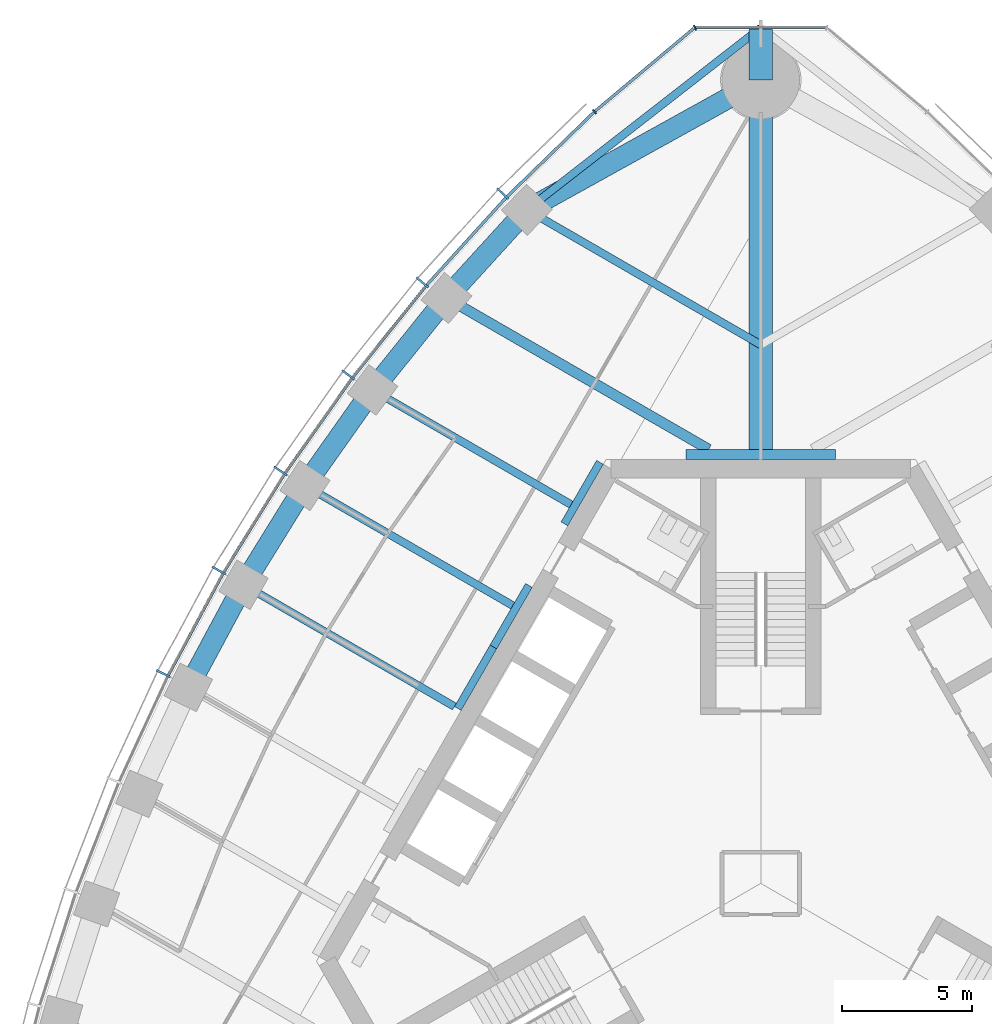
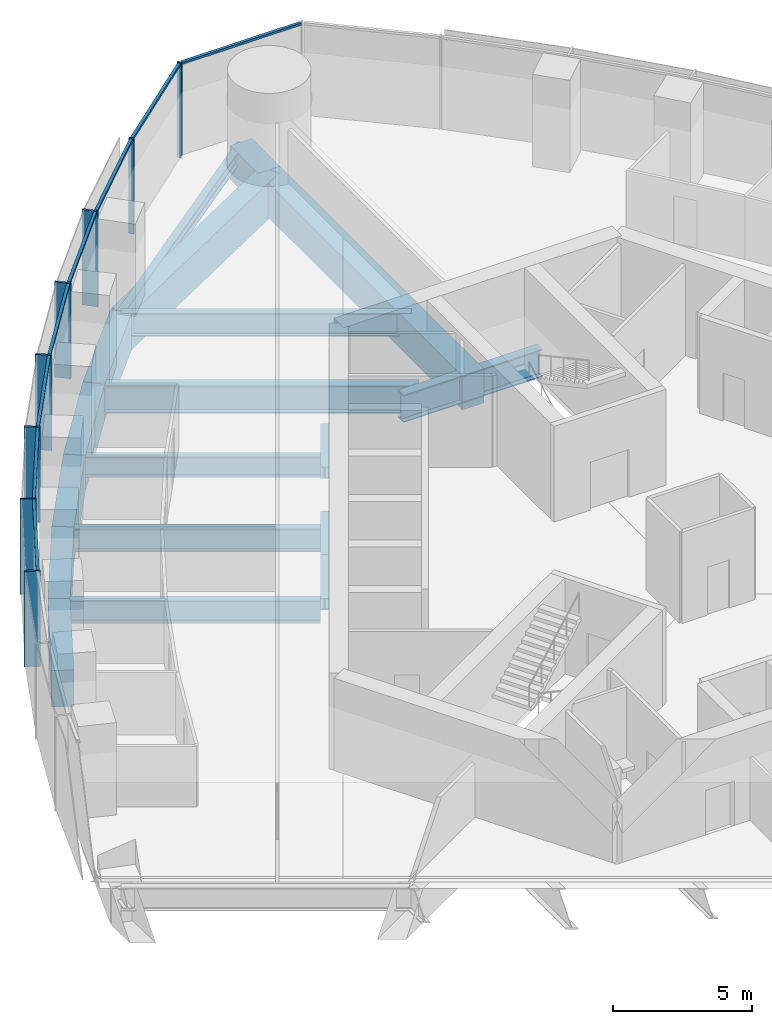
# One storey, part 5 of 16: 19 beams, 16 members, 2 elements without a shape of their own.
"""IFC4 building model written with IfcOpenShell, lengths in metres."""

from ifc_helpers import new_model, si_unit, direction, frame, origin, origin_2d, place, context, subcontext, project, spatial, rectangle, i_section, extrude, material, material_profile, profile_set, type_object, element, aggregate, save


model = new_model("IFC4")

# Units and contexts
model_context = context("Model", 3, precision=1e-05, world=origin(), true_north=direction((0.0, 1.0)))
body_context = subcontext(model_context, "Body", "Model", "MODEL_VIEW")
ifc_project = project(units=[si_unit("LENGTHUNIT", "METRE"), si_unit("AREAUNIT", "SQUARE_METRE"), si_unit("VOLUMEUNIT", "CUBIC_METRE"), si_unit("PLANEANGLEUNIT", "RADIAN"), si_unit("MASSUNIT", "GRAM", prefix="KILO")], contexts=[model_context])

# Site, building, storey
site_placement = place(None, origin())
site = spatial("IfcSite", under=ifc_project, at=site_placement, CompositionType="ELEMENT")
building_placement = place(site_placement, origin())
building = spatial("IfcBuilding", under=site, at=building_placement, Name="Trefoil Bronze Tower", CompositionType="ELEMENT")
storey_placement = place(building_placement, frame((0.0, 0.0, 284.699951171875)))
storey = spatial("IfcBuildingStorey", under=building, at=storey_placement, Name="L65", CompositionType="ELEMENT", Elevation=284.699951171875)

# Curtain wall, members
ifc_material_1 = material(Name="Tinted solar-control glass", Category="glass")
curtain_wall_type_1 = type_object("IfcCurtainWallType", Name="Bronze office curtain wall", PredefinedType="USERDEFINED", material=ifc_material_1)
curtain_wall_1_placement = place(storey_placement, origin())
curtain_wall_1 = element("IfcCurtainWall", 1, at=curtain_wall_1_placement, inside=storey, type_object=curtain_wall_type_1, Name="CW-A L65 F3", ObjectType="CURTAIN WALL", PredefinedType="USERDEFINED")
ifc_material_2 = material(Name="Bronze-finish aluminium", Category="aluminium")
ifc_material_profile_1 = material_profile(ifc_material_2, rectangle(XDim=0.60009765625, YDim=0.080078125, at=origin_2d()), Name="CW-A mullion")
ifc_profile_set_1 = profile_set([ifc_material_profile_1], Name="Bronze-finish aluminium")
member_type_1 = type_object("IfcMemberType", Name="Bronze office curtain wall mullion", PredefinedType="MULLION", material=ifc_profile_set_1)
member_1_placement = place(storey_placement, frame((-9.957275390625, 26.617431640625, 0.0), z_axis=(0.0, 0.0, 1.0), x_axis=(0.719001349715, -0.695008675564, 0.0)))
member_1 = element("IfcMember", 2, at=member_1_placement, type_object=member_type_1, Name="CW-A L65 F3 mullion 2", PredefinedType="MULLION", context=body_context, shape_type="SweptSolid", body=[
    extrude(rectangle(XDim=0.60009765625, YDim=0.080078125, at=origin_2d()), origin(), (0.0, 0.0, 1.0), 4.179931640625),
])
member_2_placement = place(storey_placement, frame((-13.064453125, 23.194091796875, 0.0), z_axis=(0.0, 0.0, 1.0), x_axis=(0.760781190165, -0.649008459646, 0.0)))
member_2 = element("IfcMember", 3, at=member_2_placement, type_object=member_type_1, Name="CW-A L65 F3 mullion 3", PredefinedType="MULLION", context=body_context, shape_type="SweptSolid", body=[
    extrude(rectangle(XDim=0.60009765625, YDim=0.080078125, at=origin_2d()), origin(), (0.0, 0.0, 1.0), 4.179931640625),
])
member_3_placement = place(storey_placement, frame((-15.922607421875, 19.627197265625, 0.0), z_axis=(0.0, 0.0, 1.0), x_axis=(0.799096076136, -0.601203344222, 0.0)))
member_3 = element("IfcMember", 4, at=member_3_placement, type_object=member_type_1, Name="CW-A L65 F3 mullion 4", PredefinedType="MULLION", context=body_context, shape_type="SweptSolid", body=[
    extrude(rectangle(XDim=0.60009765625, YDim=0.080078125, at=origin_2d()), origin(), (0.0, 0.0, 1.0), 4.179931640625),
])
member_4_placement = place(storey_placement, frame((-18.538330078125, 15.920166015625, 0.0), z_axis=(0.0, 0.0, 1.0), x_axis=(0.834159158089, -0.551523797289, 0.0)))
member_4 = element("IfcMember", 5, at=member_4_placement, type_object=member_type_1, Name="CW-A L65 F3 mullion 5", PredefinedType="MULLION", context=body_context, shape_type="SweptSolid", body=[
    extrude(rectangle(XDim=0.60009765625, YDim=0.080078125, at=origin_2d()), origin(), (0.0, 0.0, 1.0), 4.179931640625),
])
member_5_placement = place(storey_placement, frame((-20.916015625, 12.07568359375, 0.0), z_axis=(0.0, 0.0, 1.0), x_axis=(0.866025403784, -0.5, 0.0)))
member_5 = element("IfcMember", 6, at=member_5_placement, type_object=member_type_1, Name="CW-A L65 F3 mullion 6", PredefinedType="MULLION", context=body_context, shape_type="SweptSolid", body=[
    extrude(rectangle(XDim=0.60009765625, YDim=0.080078125, at=origin_2d()), origin(), (0.0, 0.0, 1.0), 4.179931640625),
])
member_6_placement = place(storey_placement, frame((-23.056396484375, 8.094482421875, 0.0), z_axis=(0.0, 0.0, 1.0), x_axis=(0.894713198289, -0.44664112306, 0.0)))
member_6 = element("IfcMember", 7, at=member_6_placement, type_object=member_type_1, Name="CW-A L65 F3 mullion 7", PredefinedType="MULLION", context=body_context, shape_type="SweptSolid", body=[
    extrude(rectangle(XDim=0.60009765625, YDim=0.080078125, at=origin_2d()), origin(), (0.0, 0.0, 1.0), 4.179931640625),
])
ifc_material_3 = material(Name="Bronze-finish aluminium", Category="aluminium")
ifc_material_profile_2 = material_profile(ifc_material_3, rectangle(XDim=0.1201171875, YDim=0.10009765625, at=origin_2d()), Name="CW-A transom")
ifc_profile_set_2 = profile_set([ifc_material_profile_2], Name="Bronze-finish aluminium")
member_type_2 = type_object("IfcMemberType", Name="Bronze office curtain wall transom", PredefinedType="USERDEFINED", material=ifc_profile_set_2)
member_7_placement = place(storey_placement, frame((-6.44921875, 29.7470703125, 4.130126953125), z_axis=(-0.717224617883, -0.696842053484, 0.0), x_axis=(0.696842053484, -0.717224617883, 0.0)))
member_7 = element("IfcMember", 8, at=member_7_placement, type_object=member_type_2, Name="CW-A L65 F3 transom 1", ObjectType="TRANSOM", PredefinedType="USERDEFINED", context=body_context, shape_type="SweptSolid", body=[
    extrude(rectangle(XDim=0.1201171875, YDim=0.10009765625, at=origin_2d()), origin(), (0.0, 0.0, 1.0), 4.6474609375),
])
member_8_placement = place(storey_placement, frame((-9.842529296875, 26.446533203125, 4.130126953125), z_axis=(-0.672068269674, -0.740489190264, 0.0), x_axis=(0.740489190264, -0.672068269674, 0.0)))
member_8 = element("IfcMember", 9, at=member_8_placement, type_object=member_type_2, Name="CW-A L65 F3 transom 2", ObjectType="TRANSOM", PredefinedType="USERDEFINED", context=body_context, shape_type="SweptSolid", body=[
    extrude(rectangle(XDim=0.1201171875, YDim=0.10009765625, at=origin_2d()), origin(), (0.0, 0.0, 1.0), 4.5244140625),
])
member_9_placement = place(storey_placement, frame((-12.939208984375, 23.03076171875, 4.130126953125), z_axis=(-0.625300648488, -0.780383943325, 0.0), x_axis=(0.780383943325, -0.625300648488, 0.0)))
member_9 = element("IfcMember", 10, at=member_9_placement, type_object=member_type_2, Name="CW-A L65 F3 transom 3", ObjectType="TRANSOM", PredefinedType="USERDEFINED", context=body_context, shape_type="SweptSolid", body=[
    extrude(rectangle(XDim=0.1201171875, YDim=0.10009765625, at=origin_2d()), origin(), (0.0, 0.0, 1.0), 4.472412109375),
])
member_10_placement = place(storey_placement, frame((-15.78759765625, 19.4716796875, 4.130126953125), z_axis=(-0.5765665752, -0.817050172488, 0.0), x_axis=(0.817050172488, -0.5765665752, 0.0)))
member_10 = element("IfcMember", 11, at=member_10_placement, type_object=member_type_2, Name="CW-A L65 F3 transom 4", ObjectType="TRANSOM", PredefinedType="USERDEFINED", context=body_context, shape_type="SweptSolid", body=[
    extrude(rectangle(XDim=0.1201171875, YDim=0.10009765625, at=origin_2d()), origin(), (0.0, 0.0, 1.0), 4.4384765625),
])
member_11_placement = place(storey_placement, frame((-18.394287109375, 15.7734375, 4.130126953125), z_axis=(-0.525978235299, -0.850498028212, 0.0), x_axis=(0.850498028212, -0.525978235299, 0.0)))
member_11 = element("IfcMember", 12, at=member_11_placement, type_object=member_type_2, Name="CW-A L65 F3 transom 5", ObjectType="TRANSOM", PredefinedType="USERDEFINED", context=body_context, shape_type="SweptSolid", body=[
    extrude(rectangle(XDim=0.1201171875, YDim=0.10009765625, at=origin_2d()), origin(), (0.0, 0.0, 1.0), 4.422119140625),
])
member_12_placement = place(storey_placement, frame((-20.76318359375, 11.93798828125, 4.130126953125), z_axis=(-0.473540024981, -0.880772300167, 0.0), x_axis=(0.880772300167, -0.473540024981, 0.0)))
member_12 = element("IfcMember", 13, at=member_12_placement, type_object=member_type_2, Name="CW-A L65 F3 transom 6", ObjectType="TRANSOM", PredefinedType="USERDEFINED", context=body_context, shape_type="SweptSolid", body=[
    extrude(rectangle(XDim=0.1201171875, YDim=0.10009765625, at=origin_2d()), origin(), (0.0, 0.0, 1.0), 4.422119140625),
])
aggregate(curtain_wall_1, [member_1, member_2, member_3, member_4, member_5, member_6, member_7, member_8, member_9, member_10, member_11, member_12])

ifc_material_4 = material(Name="Tinted solar-control glass", Category="glass")
curtain_wall_type_2 = type_object("IfcCurtainWallType", Name="Bronze rounded corner curtain wall", PredefinedType="USERDEFINED", material=ifc_material_4)
curtain_wall_2_placement = place(storey_placement, origin())
curtain_wall_2 = element("IfcCurtainWall", 14, at=curtain_wall_2_placement, inside=storey, type_object=curtain_wall_type_2, Name="CW-B L65 K2", ObjectType="CURTAIN WALL", PredefinedType="USERDEFINED")
ifc_material_5 = material(Name="Bronze-finish aluminium", Category="aluminium")
ifc_material_profile_3 = material_profile(ifc_material_5, rectangle(XDim=0.199951171875, YDim=0.06005859375, at=origin_2d()), Name="CW-B mullion")
ifc_profile_set_3 = profile_set([ifc_material_profile_3], Name="Bronze-finish aluminium")
member_type_3 = type_object("IfcMemberType", Name="Bronze rounded corner curtain wall mullion", PredefinedType="MULLION", material=ifc_profile_set_3)
member_13_placement = place(storey_placement, frame((-2.542236328125, 33.021484375, 0.0), z_axis=(0.0, 0.0, 1.0), x_axis=(0.342020143326, -0.939692620786, 0.0)))
member_13 = element("IfcMember", 15, at=member_13_placement, type_object=member_type_3, Name="CW-B L65 K2 mullion 3", PredefinedType="MULLION", context=body_context, shape_type="SweptSolid", body=[
    extrude(rectangle(XDim=0.199951171875, YDim=0.06005859375, at=origin_2d()), origin(), (0.0, 0.0, 1.0), 4.179931640625),
])
member_14_placement = place(storey_placement, frame((-6.4150390625, 29.77978515625, 0.0), z_axis=(0.0, 0.0, 1.0), x_axis=(0.642787609687, -0.766044443119, 0.0)))
member_14 = element("IfcMember", 16, at=member_14_placement, type_object=member_type_3, Name="CW-B L65 K2 mullion 4", PredefinedType="MULLION", context=body_context, shape_type="SweptSolid", body=[
    extrude(rectangle(XDim=0.199951171875, YDim=0.06005859375, at=origin_2d()), origin(), (0.0, 0.0, 1.0), 4.179931640625),
])
ifc_material_6 = material(Name="Bronze-finish aluminium", Category="aluminium")
ifc_material_profile_4 = material_profile(ifc_material_6, rectangle(XDim=0.1201171875, YDim=0.10009765625, at=origin_2d()), Name="CW-B transom")
ifc_profile_set_4 = profile_set([ifc_material_profile_4], Name="Bronze-finish aluminium")
member_type_4 = type_object("IfcMemberType", Name="Bronze rounded corner curtain wall transom", PredefinedType="USERDEFINED", material=ifc_profile_set_4)
member_15_placement = place(storey_placement, frame((2.47802734375, 33.027587890625, 4.130126953125), z_axis=(-1.0, 0.0, 0.0), x_axis=(0.0, -1.0, 0.0)))
member_15 = element("IfcMember", 17, at=member_15_placement, type_object=member_type_4, Name="CW-B L65 K2 transom 2", ObjectType="TRANSOM", PredefinedType="USERDEFINED", context=body_context, shape_type="SweptSolid", body=[
    extrude(rectangle(XDim=0.1201171875, YDim=0.10009765625, at=origin_2d()), origin(), (0.0, 0.0, 1.0), 4.9560546875),
])
member_16_placement = place(storey_placement, frame((-2.595458984375, 32.98486328125, 4.130126953125), z_axis=(-0.766040522511, -0.642792282056, 0.0), x_axis=(0.642792282056, -0.766040522511, 0.0)))
member_16 = element("IfcMember", 18, at=member_16_placement, type_object=member_type_4, Name="CW-B L65 K2 transom 3", ObjectType="TRANSOM", PredefinedType="USERDEFINED", context=body_context, shape_type="SweptSolid", body=[
    extrude(rectangle(XDim=0.1201171875, YDim=0.10009765625, at=origin_2d()), origin(), (0.0, 0.0, 1.0), 4.9560546875),
])
aggregate(curtain_wall_2, [member_13, member_14, member_15, member_16])

# Beams
ifc_material_7 = material(Name="Steel C355", Category="steel")
ifc_material_profile_5 = material_profile(ifc_material_7, i_section(OverallWidth=0.300048828125, OverallDepth=0.5, WebThickness=0.014404296875, FlangeThickness=0.028076171875, FilletRadius=0.027099609375, at=origin_2d()), Name="HEB 500")
ifc_profile_set_5 = profile_set([ifc_material_profile_5], Name="Steel C355")
beam_type_1 = type_object("IfcBeamType", Name="Core seat beam HEB 500", PredefinedType="BEAM", material=ifc_profile_set_5)
for number, where, z_axis, x_axis, name in (
    (19, (-6.20654296875, 16.25, -0.449951171875), (-0.499969057507, -0.866043267704, 0.0), (0.866043267704, -0.499969057507, 0.0), "Core seat beam F3/-2 L65"),
    (20, (-8.948974609375, 11.5, -0.449951171875), (-0.499969057507, -0.866043267704, 0.0), (0.866043267704, -0.499969057507, 0.0), "Core seat beam F3/-1 L65"),
    (21, (-10.320068359375, 9.125, -0.449951171875), (-0.500035825175, -0.866004719122, 0.0), (0.866004719122, -0.500035825175, 0.0), "Core seat beam F3/+0 L65"),
):
    element("IfcBeam", number, at=place(storey_placement, frame(where, z_axis=z_axis, x_axis=x_axis)), inside=storey, type_object=beam_type_1, Name=name, PredefinedType="BEAM", context=body_context, shape_type="SweptSolid", body=[
        extrude(i_section(OverallWidth=0.300048828125, OverallDepth=0.5, WebThickness=0.014404296875, FlangeThickness=0.028076171875, FilletRadius=0.027099609375, at=origin_2d()), origin(), (0.0, 0.0, 1.0), 2.742431640625),
    ])
ifc_material_8 = material(Name="Steel C355", Category="steel")
ifc_material_profile_6 = material_profile(ifc_material_8, i_section(OverallWidth=0.39990234375, OverallDepth=1.199951171875, WebThickness=0.02001953125, FlangeThickness=0.0400390625, FilletRadius=0.010009765625, at=origin_2d()), Name="WPG 1200")
ifc_profile_set_6 = profile_set([ifc_material_profile_6], Name="Steel C355")
beam_type_2 = type_object("IfcBeamType", Name="Core seat beam WPG 1200", PredefinedType="BEAM", material=ifc_profile_set_6)
for number, where, z_axis, x_axis, name in (
    (22, (2.88671875, 16.550048828125, -0.800048828125), (-1.0, 0.0, 0.0), (0.0, -1.0, 0.0), "Core seat beam F2/+3 L65"),
    (23, (0.0, 16.550048828125, -0.800048828125), (-1.0, 0.0, 0.0), (0.0, -1.0, 0.0), "Core seat beam F3/-3 L65"),
):
    element("IfcBeam", number, at=place(storey_placement, frame(where, z_axis=z_axis, x_axis=x_axis)), inside=storey, type_object=beam_type_2, Name=name, PredefinedType="BEAM", context=body_context, shape_type="SweptSolid", body=[
        extrude(i_section(OverallWidth=0.39990234375, OverallDepth=1.199951171875, WebThickness=0.02001953125, FlangeThickness=0.0400390625, FilletRadius=0.010009765625, at=origin_2d()), origin(), (0.0, 0.0, 1.0), 2.88671875),
    ])
ifc_material_9 = material(Name="Concrete B80", Category="concrete")
ifc_material_profile_7 = material_profile(ifc_material_9, rectangle(XDim=0.89990234375, YDim=1.5, at=origin_2d()), Name="RC 900x1500")
ifc_profile_set_7 = profile_set([ifc_material_profile_7], Name="Concrete B80")
beam_type_3 = type_object("IfcBeamType", Name="Corner cantilever RC 900x1500", PredefinedType="BEAM", material=ifc_profile_set_7)
beam_1_placement = place(storey_placement, frame((0.0, 31.0, -0.949951171875), z_axis=(0.0, 1.0, 0.0), x_axis=(-1.0, 0.0, 0.0)))
element("IfcBeam", 24, at=beam_1_placement, inside=storey, type_object=beam_type_3, Name="Corner cantilever K2 L65", PredefinedType="BEAM", context=body_context, shape_type="SweptSolid", body=[
    extrude(rectangle(XDim=0.89990234375, YDim=1.5, at=origin_2d()), origin(), (0.0, 0.0, 1.0), 2.019775390625),
])
ifc_material_10 = material(Name="Steel C355", Category="steel")
ifc_material_profile_8 = material_profile(ifc_material_10, i_section(OverallWidth=0.300048828125, OverallDepth=0.60009765625, WebThickness=0.015380859375, FlangeThickness=0.030029296875, FilletRadius=0.027099609375, at=origin_2d()), Name="HEB 600")
ifc_profile_set_8 = profile_set([ifc_material_profile_8], Name="Steel C355")
beam_type_4 = type_object("IfcBeamType", Name="Corner edge beam HEB 600", PredefinedType="BEAM", material=ifc_profile_set_8)
beam_2_placement = place(storey_placement, frame((-9.02734375, 25.99658203125, -0.5), z_axis=(0.789270604977, 0.614045529354, 0.0), x_axis=(-0.614045529354, 0.789270604977, 0.0)))
element("IfcBeam", 25, at=beam_2_placement, inside=storey, type_object=beam_type_4, Name="Corner edge beam F3B L65", PredefinedType="BEAM", context=body_context, shape_type="SweptSolid", body=[
    extrude(i_section(OverallWidth=0.300048828125, OverallDepth=0.60009765625, WebThickness=0.015380859375, FlangeThickness=0.030029296875, FilletRadius=0.027099609375, at=origin_2d()), origin(), (0.0, 0.0, 1.0), 11.4375),
])
ifc_material_11 = material(Name="Concrete B80", Category="concrete")
ifc_material_profile_9 = material_profile(ifc_material_11, rectangle(XDim=0.89990234375, YDim=1.5, at=origin_2d()), Name="RC 900x1500")
ifc_profile_set_9 = profile_set([ifc_material_profile_9], Name="Concrete B80")
beam_type_5 = type_object("IfcBeamType", Name="Corner girder RC 900x1500", PredefinedType="BEAM", material=ifc_profile_set_9)
beam_3_placement = place(storey_placement, frame((0.0, 16.35009765625, -0.949951171875), z_axis=(0.0, 1.0, 0.0), x_axis=(-1.0, 0.0, 0.0)))
element("IfcBeam", 26, at=beam_3_placement, inside=storey, type_object=beam_type_5, Name="Corner girder K2 L65", PredefinedType="BEAM", context=body_context, shape_type="SweptSolid", body=[
    extrude(rectangle(XDim=0.89990234375, YDim=1.5, at=origin_2d()), origin(), (0.0, 0.0, 1.0), 14.64990234375),
])
ifc_material_12 = material(Name="Concrete B80", Category="concrete")
ifc_material_profile_10 = material_profile(ifc_material_12, rectangle(XDim=0.800048828125, YDim=1.60009765625, at=origin_2d()), Name="RC 800x1600")
ifc_profile_set_10 = profile_set([ifc_material_profile_10], Name="Concrete B80")
beam_type_6 = type_object("IfcBeamType", Name="End spandrel beam RC 800x1600", PredefinedType="SPANDREL", material=ifc_profile_set_10)
beam_4_placement = place(storey_placement, frame((0.0, 31.0, -1.0), z_axis=(-0.874641085074, -0.484771051426, 0.0), x_axis=(0.484771051426, -0.874641085074, 0.0)))
element("IfcBeam", 27, at=beam_4_placement, inside=storey, type_object=beam_type_6, Name="Spandrel F3.1 L65", PredefinedType="SPANDREL", context=body_context, shape_type="SweptSolid", body=[
    extrude(rectangle(XDim=0.800048828125, YDim=1.60009765625, at=origin_2d()), origin(), (0.0, 0.0, 1.0), 10.3212890625),
])
ifc_material_13 = material(Name="Steel C355", Category="steel")
ifc_material_profile_11 = material_profile(ifc_material_13, i_section(OverallWidth=0.300048828125, OverallDepth=1.0, WebThickness=0.01904296875, FlangeThickness=0.035888671875, FilletRadius=0.030029296875, at=origin_2d()), Name="HEB 1000")
ifc_profile_set_11 = profile_set([ifc_material_profile_11], Name="Steel C355")
beam_type_7 = type_object("IfcBeamType", Name="Floor beam HEB 1000", PredefinedType="BEAM", material=ifc_profile_set_11)
beam_5_placement = place(storey_placement, frame((-17.593994140625, 15.35400390625, -0.699951171875), z_axis=(0.866028909405, -0.499993928037, 0.0), x_axis=(0.499993928037, 0.866028909405, 0.0)))
element("IfcBeam", 28, at=beam_5_placement, inside=storey, type_object=beam_type_7, Name="Floor beam F3/-1 L65", PredefinedType="BEAM", context=body_context, shape_type="SweptSolid", body=[
    extrude(i_section(OverallWidth=0.300048828125, OverallDepth=1.0, WebThickness=0.01904296875, FlangeThickness=0.035888671875, FilletRadius=0.030029296875, at=origin_2d()), origin(), (0.0, 0.0, 1.0), 9.263671875),
])
beam_6_placement = place(storey_placement, frame((-19.96337890625, 11.52587890625, -0.699951171875), z_axis=(0.866021259968, -0.500007177232, 0.0), x_axis=(0.500007177232, 0.866021259968, 0.0)))
element("IfcBeam", 29, at=beam_6_placement, inside=storey, type_object=beam_type_7, Name="Floor beam F3/+0 L65", PredefinedType="BEAM", context=body_context, shape_type="SweptSolid", body=[
    extrude(i_section(OverallWidth=0.300048828125, OverallDepth=1.0, WebThickness=0.01904296875, FlangeThickness=0.035888671875, FilletRadius=0.030029296875, at=origin_2d()), origin(), (0.0, 0.0, 1.0), 9.401611328125),
])
ifc_material_14 = material(Name="Steel C355", Category="steel")
ifc_material_profile_12 = material_profile(ifc_material_14, i_section(OverallWidth=0.300048828125, OverallDepth=0.89990234375, WebThickness=0.0185546875, FlangeThickness=0.034912109375, FilletRadius=0.030029296875, at=origin_2d()), Name="HEB 900")
ifc_profile_set_12 = profile_set([ifc_material_profile_12], Name="Steel C355")
beam_type_8 = type_object("IfcBeamType", Name="Floor beam HEB 900", PredefinedType="BEAM", material=ifc_profile_set_12)
beam_7_placement = place(storey_placement, frame((-14.98486328125, 19.043701171875, -0.64990234375), z_axis=(0.866025701847, -0.499999483739, 0.0), x_axis=(0.499999483739, 0.866025701847, 0.0)))
element("IfcBeam", 30, at=beam_7_placement, inside=storey, type_object=beam_type_8, Name="Floor beam F3/-2 L65", PredefinedType="BEAM", context=body_context, shape_type="SweptSolid", body=[
    extrude(i_section(OverallWidth=0.300048828125, OverallDepth=0.89990234375, WebThickness=0.0185546875, FlangeThickness=0.034912109375, FilletRadius=0.030029296875, at=origin_2d()), origin(), (0.0, 0.0, 1.0), 8.84912109375),
])
ifc_material_15 = material(Name="Steel C355", Category="steel")
ifc_material_profile_13 = material_profile(ifc_material_15, i_section(OverallWidth=0.302001953125, OverallDepth=1.008056640625, WebThickness=0.02099609375, FlangeThickness=0.0400390625, FilletRadius=0.030029296875, at=origin_2d()), Name="HEM 1000")
ifc_profile_set_13 = profile_set([ifc_material_profile_13], Name="Steel C355")
beam_type_9 = type_object("IfcBeamType", Name="Floor beam HEM 1000", PredefinedType="BEAM", material=ifc_profile_set_13)
beam_8_placement = place(storey_placement, frame((-9.02734375, 25.99658203125, -0.703857421875), z_axis=(0.866026453994, -0.499998180979, 0.0), x_axis=(0.499998180979, 0.866026453994, 0.0)))
element("IfcBeam", 31, at=beam_8_placement, inside=storey, type_object=beam_type_9, Name="Floor beam F3/-4 L65", PredefinedType="BEAM", context=body_context, shape_type="SweptSolid", body=[
    extrude(i_section(OverallWidth=0.302001953125, OverallDepth=1.008056640625, WebThickness=0.02099609375, FlangeThickness=0.0400390625, FilletRadius=0.030029296875, at=origin_2d()), origin(), (0.0, 0.0, 1.0), 10.423828125),
])
ifc_material_16 = material(Name="Steel C355", Category="steel")
ifc_material_profile_14 = material_profile(ifc_material_16, i_section(OverallWidth=0.39990234375, OverallDepth=1.199951171875, WebThickness=0.02001953125, FlangeThickness=0.0400390625, FilletRadius=0.010009765625, at=origin_2d()), Name="WPG 1200")
ifc_profile_set_14 = profile_set([ifc_material_profile_14], Name="Steel C355")
beam_type_10 = type_object("IfcBeamType", Name="Floor beam WPG 1200", PredefinedType="BEAM", material=ifc_profile_set_14)
beam_9_placement = place(storey_placement, frame((-12.131591796875, 22.5927734375, -0.800048828125), z_axis=(0.866017882563, -0.500013026912, 0.0), x_axis=(0.500013026912, 0.866017882563, 0.0)))
element("IfcBeam", 32, at=beam_9_placement, inside=storey, type_object=beam_type_10, Name="Floor beam F3/-3 L65", PredefinedType="BEAM", context=body_context, shape_type="SweptSolid", body=[
    extrude(i_section(OverallWidth=0.39990234375, OverallDepth=1.199951171875, WebThickness=0.02001953125, FlangeThickness=0.0400390625, FilletRadius=0.010009765625, at=origin_2d()), origin(), (0.0, 0.0, 1.0), 11.685302734375),
])
ifc_material_17 = material(Name="Concrete B80", Category="concrete")
ifc_material_profile_15 = material_profile(ifc_material_17, rectangle(XDim=0.800048828125, YDim=1.60009765625, at=origin_2d()), Name="RC 800x1600")
ifc_profile_set_15 = profile_set([ifc_material_profile_15], Name="Concrete B80")
beam_type_11 = type_object("IfcBeamType", Name="Spandrel beam RC 800x1600", PredefinedType="SPANDREL", material=ifc_profile_set_15)
beam_10_placement = place(storey_placement, frame((-9.02734375, 25.99658203125, -1.0), z_axis=(-0.673845775847, -0.738872025707, 0.0), x_axis=(0.738872025707, -0.673845775847, 0.0)))
element("IfcBeam", 33, at=beam_10_placement, inside=storey, type_object=beam_type_11, Name="Spandrel F3.2 L65", PredefinedType="SPANDREL", context=body_context, shape_type="SweptSolid", body=[
    extrude(rectangle(XDim=0.800048828125, YDim=1.60009765625, at=origin_2d()), origin(), (0.0, 0.0, 1.0), 4.606689453125),
])
beam_11_placement = place(storey_placement, frame((-12.131591796875, 22.5927734375, -1.0), z_axis=(-0.626569682592, -0.779365403939, 0.0), x_axis=(0.779365403939, -0.626569682592, 0.0)))
element("IfcBeam", 34, at=beam_11_placement, inside=storey, type_object=beam_type_11, Name="Spandrel F3.3 L65", PredefinedType="SPANDREL", context=body_context, shape_type="SweptSolid", body=[
    extrude(rectangle(XDim=0.800048828125, YDim=1.60009765625, at=origin_2d()), origin(), (0.0, 0.0, 1.0), 4.5537109375),
])
beam_12_placement = place(storey_placement, frame((-14.98486328125, 19.043701171875, -1.0), z_axis=(-0.577368105169, -0.816483968693, 0.0), x_axis=(0.816483968693, -0.577368105169, 0.0)))
element("IfcBeam", 35, at=beam_12_placement, inside=storey, type_object=beam_type_11, Name="Spandrel F3.4 L65", PredefinedType="SPANDREL", context=body_context, shape_type="SweptSolid", body=[
    extrude(rectangle(XDim=0.800048828125, YDim=1.60009765625, at=origin_2d()), origin(), (0.0, 0.0, 1.0), 4.51904296875),
])
beam_13_placement = place(storey_placement, frame((-17.593994140625, 15.35400390625, -1.0), z_axis=(-0.526289271956, -0.850305593433, 0.0), x_axis=(0.850305593433, -0.526289271956, 0.0)))
element("IfcBeam", 36, at=beam_13_placement, inside=storey, type_object=beam_type_11, Name="Spandrel F3.5 L65", PredefinedType="SPANDREL", context=body_context, shape_type="SweptSolid", body=[
    extrude(rectangle(XDim=0.800048828125, YDim=1.60009765625, at=origin_2d()), origin(), (0.0, 0.0, 1.0), 4.501953125),
])
beam_14_placement = place(storey_placement, frame((-19.96337890625, 11.52587890625, -1.0), z_axis=(-0.473245885676, -0.880930378458, 0.0), x_axis=(0.880930378458, -0.473245885676, 0.0)))
element("IfcBeam", 37, at=beam_14_placement, inside=storey, type_object=beam_type_11, Name="Spandrel F3.6 L65", PredefinedType="SPANDREL", context=body_context, shape_type="SweptSolid", body=[
    extrude(rectangle(XDim=0.800048828125, YDim=1.60009765625, at=origin_2d()), origin(), (0.0, 0.0, 1.0), 4.502197265625),
])

save(model, "model.ifc")
